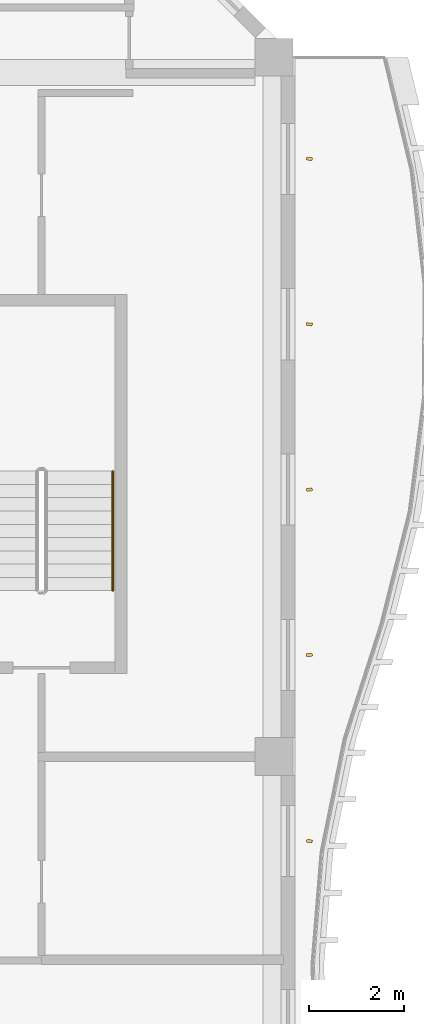
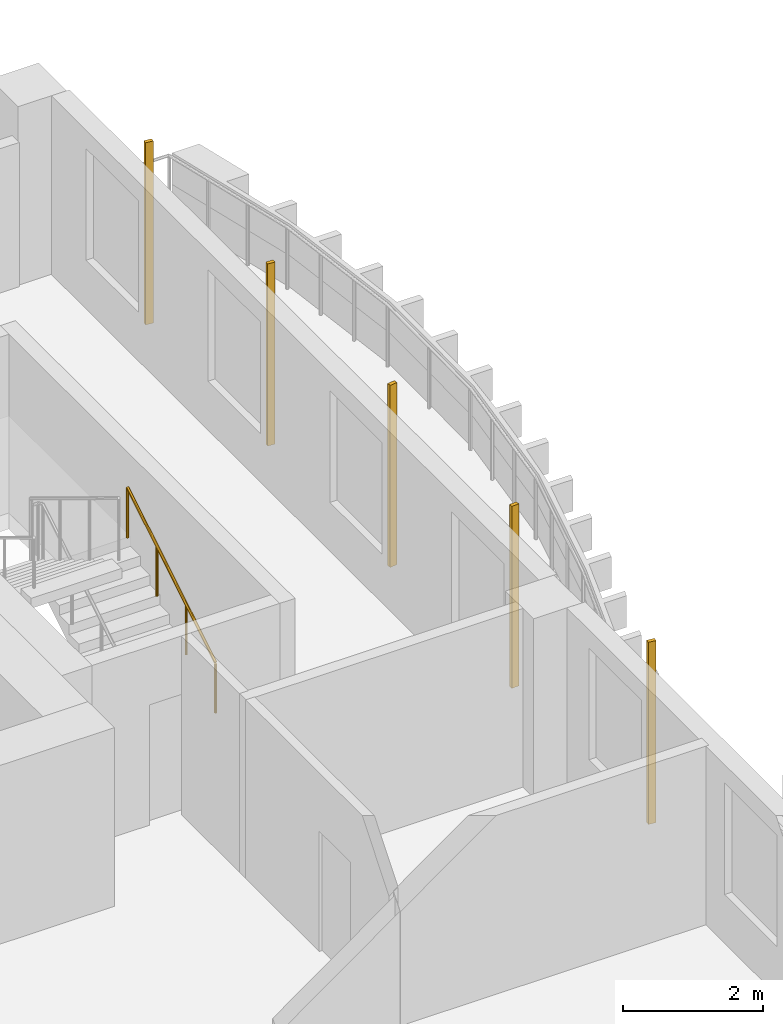
# One storey, part 22 of 22: 5 shading devices, 1 railing.
"""IFC4 building model written with IfcOpenShell, lengths in metres."""

from ifc_helpers import new_model, si_unit, direction, frame, origin, origin_2d, place, context, subcontext, project, spatial, rectangle, circle, extrude, source, transform, mapped, material, material_profile, profile_set, type_object, element, save


model = new_model("IFC4")

# Units and contexts
model_context = context("Model", 3, precision=1e-05, world=origin(), true_north=direction((0.0, 1.0)))
body_context = subcontext(model_context, "Body", "Model", "MODEL_VIEW")
ifc_project = project(units=[si_unit("LENGTHUNIT", "METRE"), si_unit("AREAUNIT", "SQUARE_METRE"), si_unit("VOLUMEUNIT", "CUBIC_METRE"), si_unit("PLANEANGLEUNIT", "RADIAN"), si_unit("MASSUNIT", "GRAM", prefix="KILO")], contexts=[model_context])

# Site, building, storey
site_placement = place(None, origin())
site = spatial("IfcSite", under=ifc_project, at=site_placement, CompositionType="ELEMENT")
building_placement = place(site_placement, origin())
building = spatial("IfcBuilding", under=site, at=building_placement, Name="Kilnfold Tower and Market Hall", CompositionType="ELEMENT")
storey_placement = place(building_placement, frame((0.0, 0.0, 188.89990234375)))
storey = spatial("IfcBuildingStorey", under=building, at=storey_placement, Name="L45", CompositionType="ELEMENT", Elevation=188.89990234375)

# Railing
ifc_material_1 = material(Name="Stainless steel 316", Category="steel")
railing_type = type_object("IfcRailingType", Name="CORE STAIR HANDRAIL 900", PredefinedType="HANDRAIL", material=ifc_material_1)
railing_placement = place(storey_placement, frame((21.39990234375, 11.5, 0.170166015625)))
element("IfcRailing", 1, at=railing_placement, inside=storey, type_object=railing_type, Name="L45 ST5 stair handrail 1", PredefinedType="HANDRAIL", context=body_context, shape_type="SweptSolid", body=[
    extrude(circle(Radius=0.02392578125, at=origin_2d()), frame((0.0, 0.0, 0.8759765625), z_axis=(0.0, 0.85478489116, 0.518982456201), x_axis=(-1.0, 0.0, 0.0)), (0.0, 0.0, 1.0), 2.9482421875),
    extrude(circle(Radius=0.02099609375, at=origin_2d()), origin(), (0.0, 0.0, 1.0), 0.851806640625),
    extrude(circle(Radius=0.02099609375, at=origin_2d()), frame((0.0, 0.840087890625, 0.510009765625)), (0.0, 0.0, 1.0), 0.851806640625),
    extrude(circle(Radius=0.02099609375, at=origin_2d()), frame((0.0, 1.679931640625, 1.02001953125)), (0.0, 0.0, 1.0), 0.851806640625),
    extrude(circle(Radius=0.02099609375, at=origin_2d()), frame((0.0, 2.52001953125, 1.530029296875)), (0.0, 0.0, 1.0), 0.851806640625),
])

# Shading devices
ifc_material_2 = material(Name="Terracotta", Category="masonry")
ifc_material_profile = material_profile(ifc_material_2, rectangle(XDim=0.06005859375, YDim=0.1201171875, at=origin_2d()), Name="BAG 60x120")
ifc_profile_set = profile_set([ifc_material_profile], Name="Terracotta")
shading_device_type = type_object("IfcShadingDeviceType", Name="BAGUETTE", PredefinedType="USERDEFINED", material=ifc_profile_set)
shared_shape = source(origin(), body_context, "Body", "SweptSolid", [
    extrude(rectangle(XDim=0.06005859375, YDim=0.1201171875, at=origin_2d()), origin(), (0.0, 0.0, 1.0), 3.18017578125),
])
for number, where, z_axis, x_axis, name in (
    (2, (25.550048828125, 6.21875, 0.0), (0.0, 0.0, 1.0), (0.131356737224, 0.991335164102, 0.0), "Terracotta baguette L45 E"),
    (3, (25.550048828125, 10.143798828125, 0.0), (0.0, 0.0, 1.0), (-0.070341463829, 0.997522971398, 0.0), "Terracotta baguette L45 E"),
    (4, (25.550048828125, 13.63134765625, 0.0), (0.0, 0.0, 1.0), (-0.120677419786, 0.992691775101, 0.0), "Terracotta baguette L45 E"),
    (5, (25.550048828125, 17.11865234375, 0.0), (0.0, 0.0, 1.0), (0.068988637884, 0.997617445639, 0.0), "Terracotta baguette L45 E"),
    (6, (25.550048828125, 20.606201171875, 0.0), (0.0, 0.0, 1.0), (0.121446646328, 0.992597960957, 0.0), "Terracotta baguette L45 E"),
):
    element("IfcShadingDevice", number, at=place(storey_placement, frame(where, z_axis=z_axis, x_axis=x_axis)), inside=storey, type_object=shading_device_type, Name=name, ObjectType="BAGUETTE", PredefinedType="USERDEFINED", context=body_context, shape_type="MappedRepresentation", body=[
        mapped(shared_shape, transform((0.0, 0.0, 0.0))),
    ])

save(model, "model.ifc")
